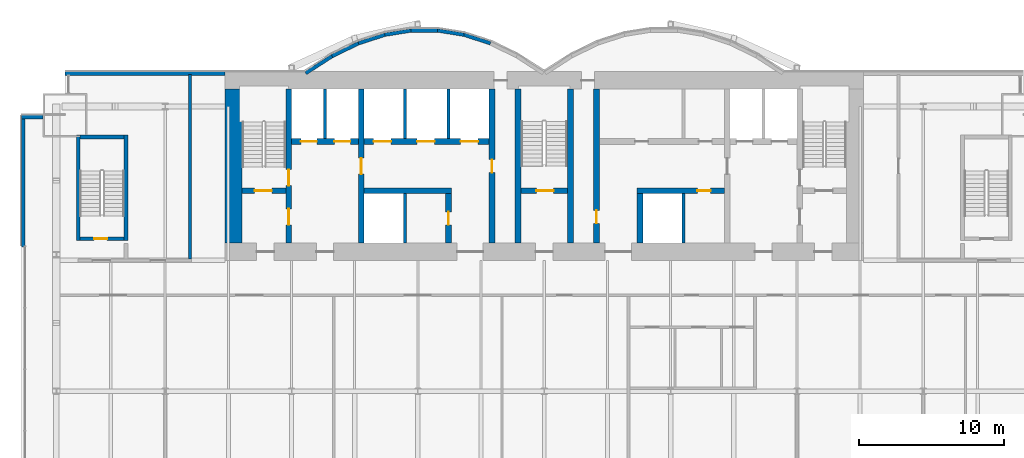
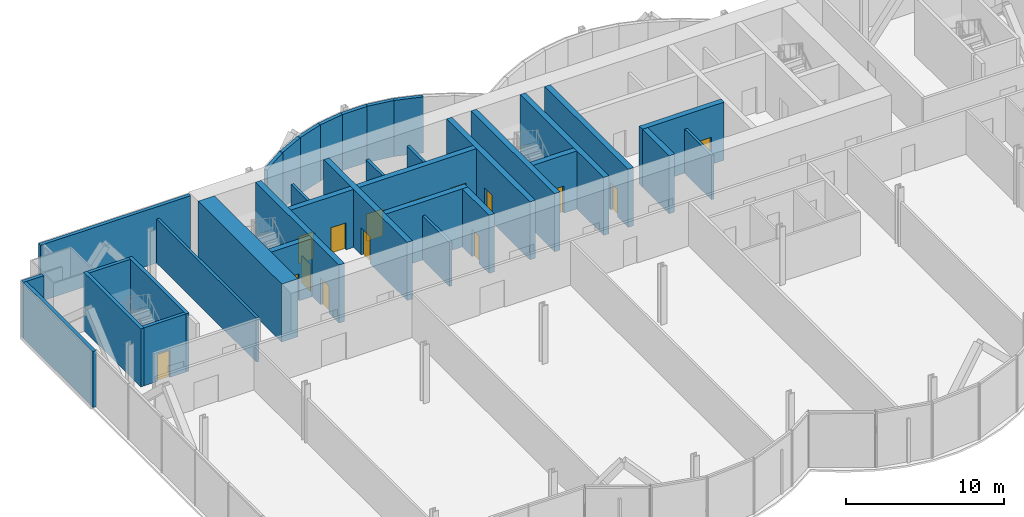
# One storey, part 16 of 21: 34 walls, 15 doors, 15 openings.
"""IFC4 building model written with IfcOpenShell, lengths in metres."""

from ifc_helpers import new_model, si_unit, direction, frame, frame_2d, origin, place, context, subcontext, project, spatial, rectangle, extrude, material, layer, layer_set, layer_usage, type_object, element, fill, save


model = new_model("IFC4")

# Units and contexts
model_context = context("Model", 3, precision=1e-05, world=origin(), true_north=direction((0.0, 1.0)))
body_context = subcontext(model_context, "Body", "Model", "MODEL_VIEW")
ifc_project = project(units=[si_unit("LENGTHUNIT", "METRE"), si_unit("AREAUNIT", "SQUARE_METRE"), si_unit("VOLUMEUNIT", "CUBIC_METRE"), si_unit("PLANEANGLEUNIT", "RADIAN"), si_unit("MASSUNIT", "GRAM", prefix="KILO")], contexts=[model_context])

# Site, building, storey
site_placement = place(None, origin())
site = spatial("IfcSite", under=ifc_project, at=site_placement, CompositionType="ELEMENT")
building_placement = place(site_placement, origin())
building = spatial("IfcBuilding", under=site, at=building_placement, Name="Bicima Exchange Tower", CompositionType="ELEMENT")
storey_placement = place(building_placement, frame((0.0, 0.0, 57.5)))
storey = spatial("IfcBuildingStorey", under=building, at=storey_placement, Name="L11", CompositionType="ELEMENT", Elevation=57.5)

# Walls
ifc_material_1 = material(Name="Gypsum board partition")
ifc_layer_1 = layer(ifc_material_1, 0.199951171875)
ifc_layer_set_1 = layer_set([ifc_layer_1], Name="Gypsum board partition")
wall_type_1 = type_object("IfcWallType", Name="Fire-rated gypsum partition 200 EI120", PredefinedType="PARTITIONING", material=ifc_layer_set_1)
for number, where, z_axis, x_axis, name in (
    (1, (-15.10009765625, -4.60009765625, 0.0), (0.0, 0.0, 1.0), (0.0, 1.0, 0.0), "partition wall 9"),
    (2, (-9.60009765625, -11.800048828125, 0.0), (0.0, 0.0, 1.0), (0.0, 1.0, 0.0), "partition wall 11"),
    (3, (-9.60009765625, -4.60009765625, 0.0), (0.0, 0.0, 1.0), (0.0, 1.0, 0.0), "partition wall 12"),
    (4, (-6.60009765625, -4.60009765625, 0.0), (0.0, 0.0, 1.0), (0.0, 1.0, 0.0), "partition wall 14"),
    (5, (9.60009765625, -11.800048828125, 0.0), (0.0, 0.0, 1.0), (0.0, 1.0, 0.0), "partition wall 20"),
):
    element("IfcWall", number, at=place(storey_placement, frame(where, z_axis=z_axis, x_axis=x_axis)), inside=storey, type_object=wall_type_1, Name=name, PredefinedType="PARTITIONING", context=body_context, shape_type="SweptSolid", body=[
        extrude(rectangle(XDim=3.400146484375, YDim=0.199951171875, at=frame_2d((1.7001953125, 0.0))), origin(), (0.0, 0.0, 1.0), 3.418212890625),
    ])
ifc_layer_2 = layer(ifc_material_1, 0.199951171875)
ifc_layer_set_2 = layer_set([ifc_layer_2], Name="Gypsum board partition")
wall_type_2 = type_object("IfcWallType", Name="Fire-rated gypsum partition 200 EI60", PredefinedType="PARTITIONING", material=ifc_layer_set_2)
wall_1_placement = place(storey_placement, frame((-24.39990234375, -12.89990234375, 0.0), z_axis=(0.0, 0.0, 1.0), x_axis=(0.0, 1.0, 0.0)))
element("IfcWall", 6, at=wall_1_placement, inside=storey, type_object=wall_type_2, Name="partition wall 15", PredefinedType="PARTITIONING", context=body_context, shape_type="SweptSolid", body=[
    extrude(rectangle(XDim=12.68994140625, YDim=0.199951171875, at=frame_2d((6.344970703125, 0.0))), origin(), (0.0, 0.0, 1.0), 3.418212890625),
])
ifc_material_2 = material(Name="Concrete C60/75", Category="concrete")
ifc_layer_3 = layer(ifc_material_2, 1.199951171875)
ifc_layer_set_3 = layer_set([ifc_layer_3], Name="Concrete C60/75")
wall_type_3 = type_object("IfcWallType", Name="RC core wall 1200 C60/75", PredefinedType="SHEAR", material=ifc_layer_set_3)
wall_2_placement = place(storey_placement, frame((-21.39990234375, -11.800048828125, 0.0), z_axis=(0.0, 0.0, 1.0), x_axis=(0.0, 1.0, 0.0)))
element("IfcWall", 7, at=wall_2_placement, inside=storey, type_object=wall_type_3, Name="Core wall west", PredefinedType="SHEAR", context=body_context, shape_type="SweptSolid", body=[
    extrude(rectangle(XDim=10.60009765625, YDim=1.199951171875, at=frame_2d((5.300048828125, 0.0))), origin(), (0.0, 0.0, 1.0), 4.5),
])

# Wall, opening, door
ifc_material_3 = material(Name="Concrete C50/60", Category="concrete")
ifc_layer_4 = layer(ifc_material_3, 0.39990234375)
ifc_layer_set_4 = layer_set([ifc_layer_4], Name="Concrete C50/60")
wall_type_4 = type_object("IfcWallType", Name="RC core wall 400 C50/60", PredefinedType="SHEAR", material=ifc_layer_set_4)
wall_3_placement = place(storey_placement, frame((-20.800048828125, -8.199951171875, 0.0), z_axis=(0.0, 0.0, 1.0), x_axis=(1.0, 0.0, 0.0)))
wall_3 = element("IfcWall", 8, at=wall_3_placement, inside=storey, type_object=wall_type_4, Name="stair wall 1", PredefinedType="SHEAR", context=body_context, shape_type="SweptSolid", body=[
    extrude(rectangle(XDim=3.0, YDim=0.39990234375, at=frame_2d((1.5, 0.0))), origin(), (0.0, 0.0, 1.0), 4.5),
])
opening_1_placement = place(wall_3_placement, frame((0.85009765625, 0.0, 0.0)))
opening_1 = element("IfcOpeningElement", 9, at=opening_1_placement, cuts=wall_3, Name="Opening L11-C01", PredefinedType="OPENING", context=body_context, shape_type="SweptSolid", body=[
    extrude(rectangle(XDim=1.199951171875, YDim=2.10009765625, at=frame_2d((0.60009765625, 1.050048828125))), frame((0.0, 0.2119140625, 0.0), z_axis=(0.0, -1.0, 0.0), x_axis=(1.0, 0.0, 0.0)), (0.0, 0.0, 1.0), 0.423828125),
])
ifc_material_4 = material(Name="Steel fire door leaf", Category="steel")
door_type_1 = type_object("IfcDoorType", Name="Door 1200 swing FD60S", OperationType="SINGLE_SWING_LEFT", PredefinedType="DOOR", material=ifc_material_4)
door_1_placement = place(opening_1_placement, origin())
door_1 = element("IfcDoor", 10, at=door_1_placement, inside=storey, type_object=door_type_1, Name="Core door", OperationType="SINGLE_SWING_LEFT", OverallHeight=2.10009765625, OverallWidth=1.199951171875, PredefinedType="DOOR", context=body_context, shape_type="SweptSolid", body=[
    extrude(rectangle(XDim=1.199951171875, YDim=2.10009765625, at=frame_2d((0.60009765625, 1.050048828125))), frame((0.0, 0.02490234375, 0.0), z_axis=(0.0, -1.0, 0.0), x_axis=(1.0, 0.0, 0.0)), (0.0, 0.0, 1.0), 0.050048828125),
])
fill(opening_1, door_1)

wall_4_placement = place(storey_placement, frame((-1.60009765625, -8.199951171875, 0.0), z_axis=(0.0, 0.0, 1.0), x_axis=(1.0, 0.0, 0.0)))
wall_4 = element("IfcWall", 11, at=wall_4_placement, inside=storey, type_object=wall_type_4, Name="stair wall 3", PredefinedType="SHEAR", context=body_context, shape_type="SweptSolid", body=[
    extrude(rectangle(XDim=3.2001953125, YDim=0.39990234375, at=frame_2d((1.60009765625, 0.0))), origin(), (0.0, 0.0, 1.0), 4.5),
])
opening_2_placement = place(wall_4_placement, frame((1.050048828125, 0.0, 0.0)))
opening_2 = element("IfcOpeningElement", 12, at=opening_2_placement, cuts=wall_4, Name="Opening L11-C03", PredefinedType="OPENING", context=body_context, shape_type="SweptSolid", body=[
    extrude(rectangle(XDim=1.199951171875, YDim=2.10009765625, at=frame_2d((0.60009765625, 1.050048828125))), frame((0.0, 0.2119140625, 0.0), z_axis=(0.0, -1.0, 0.0), x_axis=(1.0, 0.0, 0.0)), (0.0, 0.0, 1.0), 0.423828125),
])
door_2_placement = place(opening_2_placement, origin())
door_2 = element("IfcDoor", 13, at=door_2_placement, inside=storey, type_object=door_type_1, Name="Core door", OperationType="SINGLE_SWING_LEFT", OverallHeight=2.10009765625, OverallWidth=1.199951171875, PredefinedType="DOOR", context=body_context, shape_type="SweptSolid", body=[
    extrude(rectangle(XDim=1.199951171875, YDim=2.10009765625, at=frame_2d((0.60009765625, 1.050048828125))), frame((0.0, 0.02490234375, 0.0), z_axis=(0.0, -1.0, 0.0), x_axis=(1.0, 0.0, 0.0)), (0.0, 0.0, 1.0), 0.050048828125),
])
fill(opening_2, door_2)

# Wall, openings, doors
wall_5_placement = place(storey_placement, frame((-17.60009765625, -11.800048828125, 0.0), z_axis=(0.0, 0.0, 1.0), x_axis=(0.0, 1.0, 0.0)))
wall_5 = element("IfcWall", 14, at=wall_5_placement, inside=storey, type_object=wall_type_4, Name="stair wall 8", PredefinedType="SHEAR", context=body_context, shape_type="SweptSolid", body=[
    extrude(rectangle(XDim=10.60009765625, YDim=0.39990234375, at=frame_2d((5.300048828125, 0.0))), origin(), (0.0, 0.0, 1.0), 4.5),
])
opening_3_placement = place(wall_5_placement, frame((1.25, 0.0, 0.0)))
opening_3 = element("IfcOpeningElement", 15, at=opening_3_placement, cuts=wall_5, Name="Opening L11-C02", PredefinedType="OPENING", context=body_context, shape_type="SweptSolid", body=[
    extrude(rectangle(XDim=1.10009765625, YDim=2.10009765625, at=frame_2d((0.550048828125, 1.050048828125))), frame((0.0, 0.2119140625, 0.0), z_axis=(0.0, -1.0, 0.0), x_axis=(1.0, 0.0, 0.0)), (0.0, 0.0, 1.0), 0.423828125),
])
opening_4_placement = place(wall_5_placement, frame((3.949951171875, 0.0, 0.0)))
opening_4 = element("IfcOpeningElement", 16, at=opening_4_placement, cuts=wall_5, Name="Opening L11-C06", PredefinedType="OPENING", context=body_context, shape_type="SweptSolid", body=[
    extrude(rectangle(XDim=1.10009765625, YDim=2.10009765625, at=frame_2d((0.550048828125, 1.050048828125))), frame((0.0, 0.2119140625, 0.0), z_axis=(0.0, -1.0, 0.0), x_axis=(1.0, 0.0, 0.0)), (0.0, 0.0, 1.0), 0.423828125),
])
door_type_2 = type_object("IfcDoorType", Name="Door 1100 swing FD60S", OperationType="SINGLE_SWING_LEFT", PredefinedType="DOOR", material=ifc_material_4)
door_3_placement = place(opening_3_placement, frame((1.10009765625, 0.0, 0.0), z_axis=(0.0, 0.0, 1.0), x_axis=(-1.0, 0.0, 0.0)))
door_3 = element("IfcDoor", 17, at=door_3_placement, inside=storey, type_object=door_type_2, Name="Core door", OperationType="SINGLE_SWING_LEFT", OverallHeight=2.10009765625, OverallWidth=1.10009765625, PredefinedType="DOOR", context=body_context, shape_type="SweptSolid", body=[
    extrude(rectangle(XDim=1.10009765625, YDim=2.10009765625, at=frame_2d((0.550048828125, 1.050048828125))), frame((0.0, 0.02490234375, 0.0), z_axis=(0.0, -1.0, 0.0), x_axis=(1.0, 0.0, 0.0)), (0.0, 0.0, 1.0), 0.050048828125),
])
fill(opening_3, door_3)
door_4_placement = place(opening_4_placement, frame((1.10009765625, 0.0, 0.0), z_axis=(0.0, 0.0, 1.0), x_axis=(-1.0, 0.0, 0.0)))
door_4 = element("IfcDoor", 18, at=door_4_placement, inside=storey, type_object=door_type_2, Name="Core door", OperationType="SINGLE_SWING_LEFT", OverallHeight=2.10009765625, OverallWidth=1.10009765625, PredefinedType="DOOR", context=body_context, shape_type="SweptSolid", body=[
    extrude(rectangle(XDim=1.10009765625, YDim=2.10009765625, at=frame_2d((0.550048828125, 1.050048828125))), frame((0.0, 0.02490234375, 0.0), z_axis=(0.0, -1.0, 0.0), x_axis=(1.0, 0.0, 0.0)), (0.0, 0.0, 1.0), 0.050048828125),
])
fill(opening_4, door_4)

# Walls
for number, where, z_axis, x_axis, name in (
    (19, (-1.800048828125, -11.800048828125, 0.0), (0.0, 0.0, 1.0), (0.0, 1.0, 0.0), "stair wall 16"),
    (20, (1.800048828125, -11.800048828125, 0.0), (0.0, 0.0, 1.0), (0.0, 1.0, 0.0), "stair wall 17"),
):
    element("IfcWall", number, at=place(storey_placement, frame(where, z_axis=z_axis, x_axis=x_axis)), inside=storey, type_object=wall_type_4, Name=name, PredefinedType="SHEAR", context=body_context, shape_type="SweptSolid", body=[
        extrude(rectangle(XDim=10.60009765625, YDim=0.39990234375, at=frame_2d((5.300048828125, 0.0))), origin(), (0.0, 0.0, 1.0), 4.5),
    ])
ifc_layer_5 = layer(ifc_material_2, 0.39990234375)
ifc_layer_set_5 = layer_set([ifc_layer_5], Name="Concrete C60/75")
wall_type_5 = type_object("IfcWallType", Name="RC core wall 400 C60/75", PredefinedType="SHEAR", material=ifc_layer_set_5)
wall_6_placement = place(storey_placement, frame((-12.39990234375, -8.199951171875, 0.0), z_axis=(0.0, 0.0, 1.0), x_axis=(1.0, 0.0, 0.0)))
element("IfcWall", 21, at=wall_6_placement, inside=storey, type_object=wall_type_5, Name="shear wall 2", PredefinedType="SHEAR", context=body_context, shape_type="SweptSolid", body=[
    extrude(rectangle(XDim=6.0, YDim=0.39990234375, at=frame_2d((3.0, 0.0))), origin(), (0.0, 0.0, 1.0), 4.5),
])

# Wall, opening, door
wall_7_placement = place(storey_placement, frame((6.39990234375, -8.199951171875, 0.0), z_axis=(0.0, 0.0, 1.0), x_axis=(1.0, 0.0, 0.0)))
wall_7 = element("IfcWall", 22, at=wall_7_placement, inside=storey, type_object=wall_type_5, Name="shear wall 4", PredefinedType="SHEAR", context=body_context, shape_type="SweptSolid", body=[
    extrude(rectangle(XDim=6.0, YDim=0.39990234375, at=frame_2d((3.0, 0.0))), origin(), (0.0, 0.0, 1.0), 4.5),
])
opening_5_placement = place(wall_7_placement, frame((4.14990234375, 0.0, 0.0)))
opening_5 = element("IfcOpeningElement", 23, at=opening_5_placement, cuts=wall_7, Name="Opening L11-C15", PredefinedType="OPENING", context=body_context, shape_type="SweptSolid", body=[
    extrude(rectangle(XDim=0.89990234375, YDim=2.10009765625, at=frame_2d((0.449951171875, 1.050048828125))), frame((0.0, 0.2119140625, 0.0), z_axis=(0.0, -1.0, 0.0), x_axis=(1.0, 0.0, 0.0)), (0.0, 0.0, 1.0), 0.423828125),
])
door_type_3 = type_object("IfcDoorType", Name="Door 900 swing FD30S", OperationType="SINGLE_SWING_LEFT", PredefinedType="DOOR", material=ifc_material_4)
door_5_placement = place(opening_5_placement, frame((0.89990234375, 0.0, 0.0), z_axis=(0.0, 0.0, 1.0), x_axis=(-1.0, 0.0, 0.0)))
door_5 = element("IfcDoor", 24, at=door_5_placement, inside=storey, type_object=door_type_3, Name="Core door", OperationType="SINGLE_SWING_RIGHT", OverallHeight=2.10009765625, OverallWidth=0.89990234375, PredefinedType="DOOR", context=body_context, shape_type="SweptSolid", body=[
    extrude(rectangle(XDim=0.89990234375, YDim=2.10009765625, at=frame_2d((0.449951171875, 1.050048828125))), frame((0.0, 0.02490234375, 0.0), z_axis=(0.0, -1.0, 0.0), x_axis=(1.0, 0.0, 0.0)), (0.0, 0.0, 1.0), 0.050048828125),
])
fill(opening_5, door_5)

# Wall, openings, doors
wall_8_placement = place(storey_placement, frame((-17.39990234375, -4.800048828125, 0.0), z_axis=(0.0, 0.0, 1.0), x_axis=(1.0, 0.0, 0.0)))
wall_8 = element("IfcWall", 25, at=wall_8_placement, inside=storey, type_object=wall_type_5, Name="shear wall 6", PredefinedType="SHEAR", context=body_context, shape_type="SweptSolid", body=[
    extrude(rectangle(XDim=13.599853515625, YDim=0.39990234375, at=frame_2d((6.7998046875, 0.0))), origin(), (0.0, 0.0, 1.0), 4.5),
])
opening_6_placement = place(wall_8_placement, frame((0.64990234375, 0.0, 0.0)))
opening_6 = element("IfcOpeningElement", 26, at=opening_6_placement, cuts=wall_8, Name="Opening LD-FF1-L11", PredefinedType="OPENING", context=body_context, shape_type="SweptSolid", body=[
    extrude(rectangle(XDim=1.10009765625, YDim=2.10009765625, at=frame_2d((0.550048828125, 1.050048828125))), frame((0.0, 0.2119140625, 0.0), z_axis=(0.0, -1.0, 0.0), x_axis=(1.0, 0.0, 0.0)), (0.0, 0.0, 1.0), 0.423828125),
])
opening_7_placement = place(wall_8_placement, frame((2.949951171875, 0.0, 0.0)))
opening_7 = element("IfcOpeningElement", 27, at=opening_7_placement, cuts=wall_8, Name="Opening LD-FF3-L11", PredefinedType="OPENING", context=body_context, shape_type="SweptSolid", body=[
    extrude(rectangle(XDim=1.10009765625, YDim=2.10009765625, at=frame_2d((0.550048828125, 1.050048828125))), frame((0.0, 0.2119140625, 0.0), z_axis=(0.0, -1.0, 0.0), x_axis=(1.0, 0.0, 0.0)), (0.0, 0.0, 1.0), 0.423828125),
])
opening_8_placement = place(wall_8_placement, frame((5.64990234375, 0.0, 0.0)))
opening_8 = element("IfcOpeningElement", 28, at=opening_8_placement, cuts=wall_8, Name="Opening LD-LB1-L11", PredefinedType="OPENING", context=body_context, shape_type="SweptSolid", body=[
    extrude(rectangle(XDim=1.199951171875, YDim=2.10009765625, at=frame_2d((0.60009765625, 1.050048828125))), frame((0.0, 0.2119140625, 0.0), z_axis=(0.0, -1.0, 0.0), x_axis=(1.0, 0.0, 0.0)), (0.0, 0.0, 1.0), 0.423828125),
])
opening_9_placement = place(wall_8_placement, frame((8.64990234375, 0.0, 0.0)))
opening_9 = element("IfcOpeningElement", 29, at=opening_9_placement, cuts=wall_8, Name="Opening LD-LB2-L11", PredefinedType="OPENING", context=body_context, shape_type="SweptSolid", body=[
    extrude(rectangle(XDim=1.199951171875, YDim=2.10009765625, at=frame_2d((0.60009765625, 1.050048828125))), frame((0.0, 0.2119140625, 0.0), z_axis=(0.0, -1.0, 0.0), x_axis=(1.0, 0.0, 0.0)), (0.0, 0.0, 1.0), 0.423828125),
])
opening_10_placement = place(wall_8_placement, frame((11.64990234375, 0.0, 0.0)))
opening_10 = element("IfcOpeningElement", 30, at=opening_10_placement, cuts=wall_8, Name="Opening LD-LB3-L11", PredefinedType="OPENING", context=body_context, shape_type="SweptSolid", body=[
    extrude(rectangle(XDim=1.199951171875, YDim=2.10009765625, at=frame_2d((0.60009765625, 1.050048828125))), frame((0.0, 0.2119140625, 0.0), z_axis=(0.0, -1.0, 0.0), x_axis=(1.0, 0.0, 0.0)), (0.0, 0.0, 1.0), 0.423828125),
])
ifc_material_5 = material(Name="Stainless steel", Category="steel")
door_type_4 = type_object("IfcDoorType", Name="Lift landing door 1100 sliding", OperationType="DOUBLE_DOOR_SLIDING", PredefinedType="DOOR", material=ifc_material_5)
door_6_placement = place(opening_6_placement, origin())
door_6 = element("IfcDoor", 31, at=door_6_placement, inside=storey, type_object=door_type_4, Name="Lift landing door FF1", OperationType="DOUBLE_DOOR_SLIDING", OverallHeight=2.10009765625, OverallWidth=1.10009765625, PredefinedType="DOOR", context=body_context, shape_type="SweptSolid", body=[
    extrude(rectangle(XDim=1.10009765625, YDim=2.10009765625, at=frame_2d((0.550048828125, 1.050048828125))), frame((0.0, 0.02490234375, 0.0), z_axis=(0.0, -1.0, 0.0), x_axis=(1.0, 0.0, 0.0)), (0.0, 0.0, 1.0), 0.050048828125),
])
fill(opening_6, door_6)
door_7_placement = place(opening_7_placement, origin())
door_7 = element("IfcDoor", 32, at=door_7_placement, inside=storey, type_object=door_type_4, Name="Lift landing door FF3", OperationType="DOUBLE_DOOR_SLIDING", OverallHeight=2.10009765625, OverallWidth=1.10009765625, PredefinedType="DOOR", context=body_context, shape_type="SweptSolid", body=[
    extrude(rectangle(XDim=1.10009765625, YDim=2.10009765625, at=frame_2d((0.550048828125, 1.050048828125))), frame((0.0, 0.02490234375, 0.0), z_axis=(0.0, -1.0, 0.0), x_axis=(1.0, 0.0, 0.0)), (0.0, 0.0, 1.0), 0.050048828125),
])
fill(opening_7, door_7)
door_type_5 = type_object("IfcDoorType", Name="Lift landing door 1200 sliding", OperationType="DOUBLE_DOOR_SLIDING", PredefinedType="DOOR", material=ifc_material_5)
door_8_placement = place(opening_8_placement, origin())
door_8 = element("IfcDoor", 33, at=door_8_placement, inside=storey, type_object=door_type_5, Name="Lift landing door LB1", OperationType="DOUBLE_DOOR_SLIDING", OverallHeight=2.10009765625, OverallWidth=1.199951171875, PredefinedType="DOOR", context=body_context, shape_type="SweptSolid", body=[
    extrude(rectangle(XDim=1.199951171875, YDim=2.10009765625, at=frame_2d((0.60009765625, 1.050048828125))), frame((0.0, 0.02490234375, 0.0), z_axis=(0.0, -1.0, 0.0), x_axis=(1.0, 0.0, 0.0)), (0.0, 0.0, 1.0), 0.050048828125),
])
fill(opening_8, door_8)
door_9_placement = place(opening_9_placement, origin())
door_9 = element("IfcDoor", 34, at=door_9_placement, inside=storey, type_object=door_type_5, Name="Lift landing door LB2", OperationType="DOUBLE_DOOR_SLIDING", OverallHeight=2.10009765625, OverallWidth=1.199951171875, PredefinedType="DOOR", context=body_context, shape_type="SweptSolid", body=[
    extrude(rectangle(XDim=1.199951171875, YDim=2.10009765625, at=frame_2d((0.60009765625, 1.050048828125))), frame((0.0, 0.02490234375, 0.0), z_axis=(0.0, -1.0, 0.0), x_axis=(1.0, 0.0, 0.0)), (0.0, 0.0, 1.0), 0.050048828125),
])
fill(opening_9, door_9)
door_10_placement = place(opening_10_placement, origin())
door_10 = element("IfcDoor", 35, at=door_10_placement, inside=storey, type_object=door_type_5, Name="Lift landing door LB3", OperationType="DOUBLE_DOOR_SLIDING", OverallHeight=2.10009765625, OverallWidth=1.199951171875, PredefinedType="DOOR", context=body_context, shape_type="SweptSolid", body=[
    extrude(rectangle(XDim=1.199951171875, YDim=2.10009765625, at=frame_2d((0.60009765625, 1.050048828125))), frame((0.0, 0.02490234375, 0.0), z_axis=(0.0, -1.0, 0.0), x_axis=(1.0, 0.0, 0.0)), (0.0, 0.0, 1.0), 0.050048828125),
])
fill(opening_10, door_10)

# Wall, opening, door
wall_9_placement = place(storey_placement, frame((-12.60009765625, -11.800048828125, 0.0), z_axis=(0.0, 0.0, 1.0), x_axis=(0.0, 1.0, 0.0)))
wall_9 = element("IfcWall", 36, at=wall_9_placement, inside=storey, type_object=wall_type_5, Name="shear wall 10", PredefinedType="SHEAR", context=body_context, shape_type="SweptSolid", body=[
    extrude(rectangle(XDim=10.60009765625, YDim=0.39990234375, at=frame_2d((5.300048828125, 0.0))), origin(), (0.0, 0.0, 1.0), 4.5),
])
opening_11_placement = place(wall_9_placement, frame((4.75, 0.0, 0.0)))
opening_11 = element("IfcOpeningElement", 37, at=opening_11_placement, cuts=wall_9, Name="Opening L11-C07", PredefinedType="OPENING", context=body_context, shape_type="SweptSolid", body=[
    extrude(rectangle(XDim=1.10009765625, YDim=2.10009765625, at=frame_2d((0.550048828125, 1.050048828125))), frame((0.0, 0.2119140625, 0.0), z_axis=(0.0, -1.0, 0.0), x_axis=(1.0, 0.0, 0.0)), (0.0, 0.0, 1.0), 0.423828125),
])
door_11_placement = place(opening_11_placement, origin())
door_11 = element("IfcDoor", 38, at=door_11_placement, inside=storey, type_object=door_type_2, Name="Core door", OperationType="SINGLE_SWING_LEFT", OverallHeight=2.10009765625, OverallWidth=1.10009765625, PredefinedType="DOOR", context=body_context, shape_type="SweptSolid", body=[
    extrude(rectangle(XDim=1.10009765625, YDim=2.10009765625, at=frame_2d((0.550048828125, 1.050048828125))), frame((0.0, 0.02490234375, 0.0), z_axis=(0.0, -1.0, 0.0), x_axis=(1.0, 0.0, 0.0)), (0.0, 0.0, 1.0), 0.050048828125),
])
fill(opening_11, door_11)

wall_10_placement = place(storey_placement, frame((-6.60009765625, -11.800048828125, 0.0), z_axis=(0.0, 0.0, 1.0), x_axis=(0.0, 1.0, 0.0)))
wall_10 = element("IfcWall", 39, at=wall_10_placement, inside=storey, type_object=wall_type_5, Name="shear wall 13", PredefinedType="SHEAR", context=body_context, shape_type="SweptSolid", body=[
    extrude(rectangle(XDim=3.400146484375, YDim=0.39990234375, at=frame_2d((1.7001953125, 0.0))), origin(), (0.0, 0.0, 1.0), 4.5),
])
opening_12_placement = place(wall_10_placement, frame((1.25, 0.0, 0.0)))
opening_12 = element("IfcOpeningElement", 40, at=opening_12_placement, cuts=wall_10, Name="Opening L11-C14", PredefinedType="OPENING", context=body_context, shape_type="SweptSolid", body=[
    extrude(rectangle(XDim=0.89990234375, YDim=2.10009765625, at=frame_2d((0.449951171875, 1.050048828125))), frame((0.0, 0.2119140625, 0.0), z_axis=(0.0, -1.0, 0.0), x_axis=(1.0, 0.0, 0.0)), (0.0, 0.0, 1.0), 0.423828125),
])
door_12_placement = place(opening_12_placement, origin())
door_12 = element("IfcDoor", 41, at=door_12_placement, inside=storey, type_object=door_type_3, Name="Core door", OperationType="SINGLE_SWING_RIGHT", OverallHeight=2.10009765625, OverallWidth=0.89990234375, PredefinedType="DOOR", context=body_context, shape_type="SweptSolid", body=[
    extrude(rectangle(XDim=0.89990234375, YDim=2.10009765625, at=frame_2d((0.449951171875, 1.050048828125))), frame((0.0, 0.02490234375, 0.0), z_axis=(0.0, -1.0, 0.0), x_axis=(1.0, 0.0, 0.0)), (0.0, 0.0, 1.0), 0.050048828125),
])
fill(opening_12, door_12)

wall_11_placement = place(storey_placement, frame((-3.60009765625, -11.800048828125, 0.0), z_axis=(0.0, 0.0, 1.0), x_axis=(0.0, 1.0, 0.0)))
wall_11 = element("IfcWall", 42, at=wall_11_placement, inside=storey, type_object=wall_type_5, Name="shear wall 15", PredefinedType="SHEAR", context=body_context, shape_type="SweptSolid", body=[
    extrude(rectangle(XDim=10.60009765625, YDim=0.39990234375, at=frame_2d((5.300048828125, 0.0))), origin(), (0.0, 0.0, 1.0), 4.5),
])
opening_13_placement = place(wall_11_placement, frame((4.85009765625, 0.0, 0.0)))
opening_13 = element("IfcOpeningElement", 43, at=opening_13_placement, cuts=wall_11, Name="Opening L11-C10", PredefinedType="OPENING", context=body_context, shape_type="SweptSolid", body=[
    extrude(rectangle(XDim=0.89990234375, YDim=2.10009765625, at=frame_2d((0.449951171875, 1.050048828125))), frame((0.0, 0.2119140625, 0.0), z_axis=(0.0, -1.0, 0.0), x_axis=(1.0, 0.0, 0.0)), (0.0, 0.0, 1.0), 0.423828125),
])
door_13_placement = place(opening_13_placement, frame((0.89990234375, 0.0, 0.0), z_axis=(0.0, 0.0, 1.0), x_axis=(-1.0, 0.0, 0.0)))
door_13 = element("IfcDoor", 44, at=door_13_placement, inside=storey, type_object=door_type_3, Name="Core door", OperationType="SINGLE_SWING_LEFT", OverallHeight=2.10009765625, OverallWidth=0.89990234375, PredefinedType="DOOR", context=body_context, shape_type="SweptSolid", body=[
    extrude(rectangle(XDim=0.89990234375, YDim=2.10009765625, at=frame_2d((0.449951171875, 1.050048828125))), frame((0.0, 0.02490234375, 0.0), z_axis=(0.0, -1.0, 0.0), x_axis=(1.0, 0.0, 0.0)), (0.0, 0.0, 1.0), 0.050048828125),
])
fill(opening_13, door_13)

wall_12_placement = place(storey_placement, frame((3.60009765625, -11.800048828125, 0.0), z_axis=(0.0, 0.0, 1.0), x_axis=(0.0, 1.0, 0.0)))
wall_12 = element("IfcWall", 45, at=wall_12_placement, inside=storey, type_object=wall_type_5, Name="shear wall 18", PredefinedType="SHEAR", context=body_context, shape_type="SweptSolid", body=[
    extrude(rectangle(XDim=10.60009765625, YDim=0.39990234375, at=frame_2d((5.300048828125, 0.0))), origin(), (0.0, 0.0, 1.0), 4.5),
])
opening_14_placement = place(wall_12_placement, frame((1.35009765625, 0.0, 0.0)))
opening_14 = element("IfcOpeningElement", 46, at=opening_14_placement, cuts=wall_12, Name="Opening L11-C11", PredefinedType="OPENING", context=body_context, shape_type="SweptSolid", body=[
    extrude(rectangle(XDim=0.89990234375, YDim=2.10009765625, at=frame_2d((0.449951171875, 1.050048828125))), frame((0.0, 0.2119140625, 0.0), z_axis=(0.0, -1.0, 0.0), x_axis=(1.0, 0.0, 0.0)), (0.0, 0.0, 1.0), 0.423828125),
])
door_14_placement = place(opening_14_placement, origin())
door_14 = element("IfcDoor", 47, at=door_14_placement, inside=storey, type_object=door_type_3, Name="Core door", OperationType="SINGLE_SWING_LEFT", OverallHeight=2.10009765625, OverallWidth=0.89990234375, PredefinedType="DOOR", context=body_context, shape_type="SweptSolid", body=[
    extrude(rectangle(XDim=0.89990234375, YDim=2.10009765625, at=frame_2d((0.449951171875, 1.050048828125))), frame((0.0, 0.02490234375, 0.0), z_axis=(0.0, -1.0, 0.0), x_axis=(1.0, 0.0, 0.0)), (0.0, 0.0, 1.0), 0.050048828125),
])
fill(opening_14, door_14)

# Walls
wall_13_placement = place(storey_placement, frame((6.60009765625, -11.800048828125, 0.0), z_axis=(0.0, 0.0, 1.0), x_axis=(0.0, 1.0, 0.0)))
element("IfcWall", 48, at=wall_13_placement, inside=storey, type_object=wall_type_5, Name="shear wall 19", PredefinedType="SHEAR", context=body_context, shape_type="SweptSolid", body=[
    extrude(rectangle(XDim=3.400146484375, YDim=0.39990234375, at=frame_2d((1.7001953125, 0.0))), origin(), (0.0, 0.0, 1.0), 4.5),
])
ifc_layer_6 = layer(ifc_material_3, 0.25)
ifc_layer_set_6 = layer_set([ifc_layer_6], Name="Concrete C50/60")
wall_type_6 = type_object("IfcWallType", Name="RC stair enclosure wall 250 C50/60", PredefinedType="SHEAR", material=ifc_layer_set_6)
for number, where, z_axis, x_axis, name in (
    (49, (-32.10009765625, -11.625, 0.0), (0.0, 0.0, 1.0), (0.0, 1.0, 0.0), "West end exit stair wall W"),
    (50, (-28.800048828125, -11.625, 0.0), (0.0, 0.0, 1.0), (0.0, 1.0, 0.0), "West end exit stair wall E"),
):
    element("IfcWall", number, at=place(storey_placement, frame(where, z_axis=z_axis, x_axis=x_axis)), inside=storey, type_object=wall_type_6, Name=name, PredefinedType="SHEAR", context=body_context, shape_type="SweptSolid", body=[
        extrude(rectangle(XDim=7.25, YDim=0.25, at=frame_2d((3.625, 0.0))), origin(), (0.0, 0.0, 1.0), 4.5),
    ])

# Wall, opening, door
wall_14_placement = place(storey_placement, frame((-31.97509765625, -11.5, 0.0), z_axis=(0.0, 0.0, 1.0), x_axis=(1.0, 0.0, 0.0)))
wall_14 = element("IfcWall", 51, at=wall_14_placement, inside=storey, type_object=wall_type_6, Name="West end exit stair wall S", PredefinedType="SHEAR", context=body_context, shape_type="SweptSolid", body=[
    extrude(rectangle(XDim=3.050048828125, YDim=0.25, at=frame_2d((1.52490234375, 0.0))), origin(), (0.0, 0.0, 1.0), 4.5),
])
opening_15_placement = place(wall_14_placement, frame((0.97509765625, 0.0, 0.0)))
opening_15 = element("IfcOpeningElement", 52, at=opening_15_placement, cuts=wall_14, Name="Opening L11-002", PredefinedType="OPENING", context=body_context, shape_type="SweptSolid", body=[
    extrude(rectangle(XDim=0.89990234375, YDim=2.10009765625, at=frame_2d((0.449951171875, 1.050048828125))), frame((0.0, 0.136962890625, 0.0), z_axis=(0.0, -1.0, 0.0), x_axis=(1.0, 0.0, 0.0)), (0.0, 0.0, 1.0), 0.27392578125),
])
door_type_6 = type_object("IfcDoorType", Name="Door 900 swing FD60S", OperationType="SINGLE_SWING_LEFT", PredefinedType="DOOR", material=ifc_material_4)
door_15_placement = place(opening_15_placement, origin())
door_15 = element("IfcDoor", 53, at=door_15_placement, inside=storey, type_object=door_type_6, Name="Door", OperationType="SINGLE_SWING_LEFT", OverallHeight=2.10009765625, OverallWidth=0.89990234375, PredefinedType="DOOR", context=body_context, shape_type="SweptSolid", body=[
    extrude(rectangle(XDim=0.89990234375, YDim=2.10009765625, at=frame_2d((0.449951171875, 1.050048828125))), frame((0.0, 0.02490234375, 0.0), z_axis=(0.0, -1.0, 0.0), x_axis=(1.0, 0.0, 0.0)), (0.0, 0.0, 1.0), 0.050048828125),
])
fill(opening_15, door_15)

# Walls
wall_15_placement = place(storey_placement, frame((-31.97509765625, -4.5, 0.0), z_axis=(0.0, 0.0, 1.0), x_axis=(1.0, 0.0, 0.0)))
element("IfcWall", 54, at=wall_15_placement, inside=storey, type_object=wall_type_6, Name="West end exit stair wall N", PredefinedType="SHEAR", context=body_context, shape_type="SweptSolid", body=[
    extrude(rectangle(XDim=3.050048828125, YDim=0.25, at=frame_2d((1.52490234375, 0.0))), origin(), (0.0, 0.0, 1.0), 4.5),
])
ifc_material_6 = material(Name="Concrete C40/50", Category="concrete")
ifc_layer_7 = layer(ifc_material_6, 0.25)
ifc_layer_set_7 = layer_set([ifc_layer_7], Name="Concrete C40/50")
ifc_layer_usage = layer_usage(ifc_layer_set_7, "AXIS2", "POSITIVE", -0.125)
wall_type_7 = type_object("IfcWallType", Name="Rear backup wall 250", PredefinedType="STANDARD", material=ifc_layer_set_7)
wall_16_placement = place(storey_placement, frame((-3.705078125, 1.955078125, 0.0), z_axis=(0.0, 0.0, 1.0), x_axis=(-0.951495806175, 0.307661714928, 0.0)))
element("IfcWall", 55, at=wall_16_placement, inside=storey, type_object=wall_type_7, material=ifc_layer_usage, Name="Rear backup wall L11 13", PredefinedType="STANDARD", context=body_context, shape_type="SweptSolid", body=[
    extrude(rectangle(XDim=1.9267578125, YDim=0.25, at=frame_2d((0.96337890625, 0.0))), origin(), (0.0, 0.0, 1.0), 4.35009765625),
])
wall_17_placement = place(storey_placement, frame((-5.52001953125, 2.543212890625, 0.0), z_axis=(0.0, 0.0, 1.0), x_axis=(-0.987181718931, 0.159600293885, 0.0)))
element("IfcWall", 56, at=wall_17_placement, inside=storey, type_object=wall_type_7, material=ifc_layer_usage, Name="Rear backup wall L11 14", PredefinedType="STANDARD", context=body_context, shape_type="SweptSolid", body=[
    extrude(rectangle(XDim=1.857177734375, YDim=0.25, at=frame_2d((0.9287109375, 0.0))), origin(), (0.0, 0.0, 1.0), 4.35009765625),
])
wall_18_placement = place(storey_placement, frame((-7.333251953125, 2.837890625, 0.0), z_axis=(0.0, 0.0, 1.0), x_axis=(-1.0, 0.0, 0.0)))
element("IfcWall", 57, at=wall_18_placement, inside=storey, type_object=wall_type_7, material=ifc_layer_usage, Name="Rear backup wall L11 15", PredefinedType="STANDARD", context=body_context, shape_type="SweptSolid", body=[
    extrude(rectangle(XDim=1.83349609375, YDim=0.25, at=frame_2d((0.916748046875, 0.0))), origin(), (0.0, 0.0, 1.0), 4.35009765625),
])
wall_19_placement = place(storey_placement, frame((-9.146728515625, 2.839599609375, 0.0), z_axis=(0.0, 0.0, 1.0), x_axis=(-0.987181718931, -0.159600293885, 0.0)))
element("IfcWall", 58, at=wall_19_placement, inside=storey, type_object=wall_type_7, material=ifc_layer_usage, Name="Rear backup wall L11 16", PredefinedType="STANDARD", context=body_context, shape_type="SweptSolid", body=[
    extrude(rectangle(XDim=1.857177734375, YDim=0.25, at=frame_2d((0.9287109375, 0.0))), origin(), (0.0, 0.0, 1.0), 4.35009765625),
])
wall_20_placement = place(storey_placement, frame((-10.961669921875, 2.5478515625, 0.0), z_axis=(0.0, 0.0, 1.0), x_axis=(-0.951495806175, -0.307661714928, 0.0)))
element("IfcWall", 59, at=wall_20_placement, inside=storey, type_object=wall_type_7, material=ifc_layer_usage, Name="Rear backup wall L11 17", PredefinedType="STANDARD", context=body_context, shape_type="SweptSolid", body=[
    extrude(rectangle(XDim=1.9267578125, YDim=0.25, at=frame_2d((0.96337890625, 0.0))), origin(), (0.0, 0.0, 1.0), 4.35009765625),
])
wall_21_placement = place(storey_placement, frame((-12.77880859375, 1.961669921875, 0.0), z_axis=(0.0, 0.0, 1.0), x_axis=(-0.89982408427, -0.436252928206, 0.0)))
element("IfcWall", 60, at=wall_21_placement, inside=storey, type_object=wall_type_7, material=ifc_layer_usage, Name="Rear backup wall L11 18", PredefinedType="STANDARD", context=body_context, shape_type="SweptSolid", body=[
    extrude(rectangle(XDim=2.03759765625, YDim=0.25, at=frame_2d((1.018798828125, 0.0))), origin(), (0.0, 0.0, 1.0), 4.35009765625),
])
wall_22_placement = place(storey_placement, frame((-14.598876953125, 1.080078125, 0.0), z_axis=(0.0, 0.0, 1.0), x_axis=(-0.83981312244, -0.542875602121, 0.0)))
element("IfcWall", 61, at=wall_22_placement, inside=storey, type_object=wall_type_7, material=ifc_layer_usage, Name="Rear backup wall L11 19", PredefinedType="STANDARD", context=body_context, shape_type="SweptSolid", body=[
    extrude(rectangle(XDim=2.182861328125, YDim=0.25, at=frame_2d((1.09130859375, 0.0))), origin(), (0.0, 0.0, 1.0), 4.35009765625),
])
wall_23_placement = place(storey_placement, frame((-22.0, -0.125, 0.0), z_axis=(0.0, 0.0, 1.0), x_axis=(-1.0, 0.0, 0.0)))
element("IfcWall", 62, at=wall_23_placement, inside=storey, type_object=wall_type_7, material=ifc_layer_usage, Name="Rear backup wall L11 20", PredefinedType="STANDARD", context=body_context, shape_type="SweptSolid", body=[
    extrude(rectangle(XDim=11.0, YDim=0.25, at=frame_2d((5.5, 0.0))), origin(), (0.0, 0.0, 1.0), 4.35009765625),
])
wall_24_placement = place(storey_placement, frame((-34.5, -3.125, 0.0), z_axis=(0.0, 0.0, 1.0), x_axis=(-1.0, 0.0, 0.0)))
element("IfcWall", 63, at=wall_24_placement, inside=storey, type_object=wall_type_7, material=ifc_layer_usage, Name="Rear backup wall L11 22", PredefinedType="STANDARD", context=body_context, shape_type="SweptSolid", body=[
    extrude(rectangle(XDim=1.5, YDim=0.25, at=frame_2d((0.75, 0.0))), origin(), (0.0, 0.0, 1.0), 4.35009765625),
])
wall_25_placement = place(storey_placement, frame((-35.875, -3.0, 0.0), z_axis=(0.0, 0.0, 1.0), x_axis=(0.0, -1.0, 0.0)))
element("IfcWall", 64, at=wall_25_placement, inside=storey, type_object=wall_type_7, material=ifc_layer_usage, Name="Rear backup wall L11 23", PredefinedType="STANDARD", context=body_context, shape_type="SweptSolid", body=[
    extrude(rectangle(XDim=9.090087890625, YDim=0.25, at=frame_2d((4.544921875, 0.0))), origin(), (0.0, 0.0, 1.0), 4.35009765625),
])

save(model, "model.ifc")
